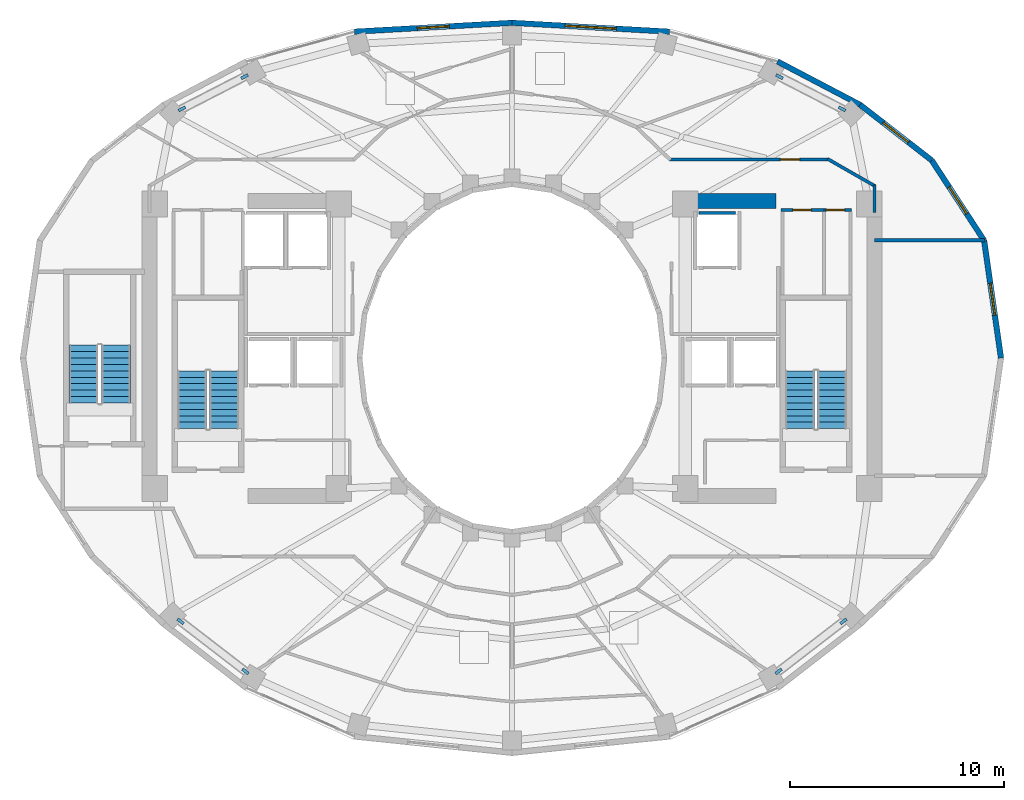
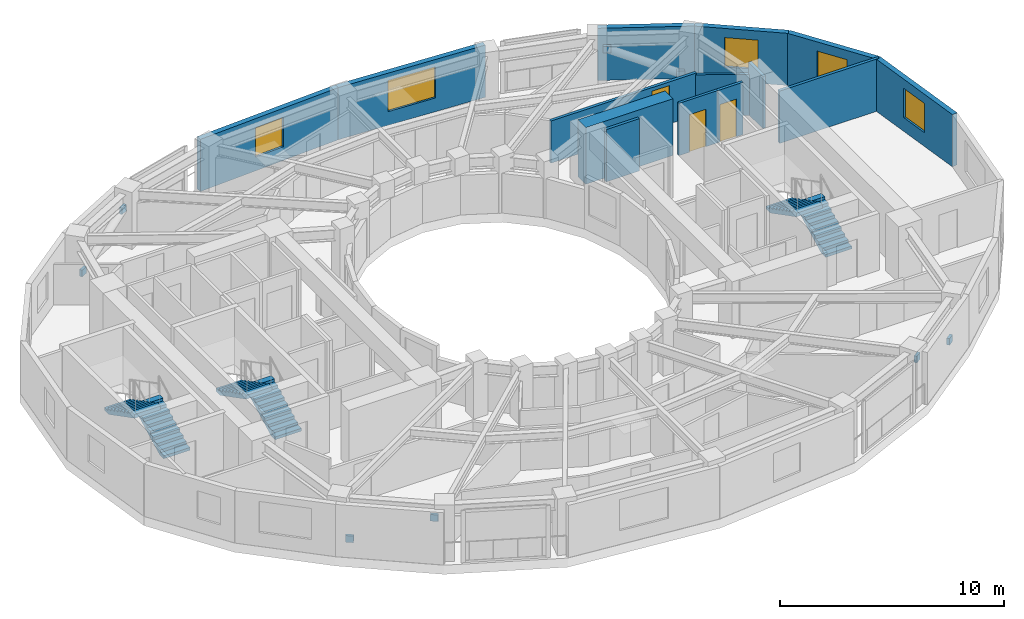
# One storey, part 14 of 17: 14 walls, 8 discrete accessories, 6 stair flights, 5 windows, 3 doors, 8 openings, 3 elements without a shape of their own.
"""IFC4 building model written with IfcOpenShell, lengths in metres."""

from ifc_helpers import new_model, si_unit, direction, frame, frame_2d, origin, origin_2d, place, context, subcontext, project, spatial, polyline, rectangle, outline, extrude, material, layer, layer_set, type_object, element, fill, aggregate, save


model = new_model("IFC4")

# Units and contexts
model_context = context("Model", 3, precision=1e-05, world=origin(), true_north=direction((0.0, 1.0)))
body_context = subcontext(model_context, "Body", "Model", "MODEL_VIEW")
ifc_project = project(units=[si_unit("LENGTHUNIT", "METRE"), si_unit("AREAUNIT", "SQUARE_METRE"), si_unit("VOLUMEUNIT", "CUBIC_METRE"), si_unit("PLANEANGLEUNIT", "RADIAN"), si_unit("MASSUNIT", "GRAM", prefix="KILO")], contexts=[model_context])

# Site, building, storey
site_placement = place(None, origin())
site = spatial("IfcSite", under=ifc_project, at=site_placement, CompositionType="ELEMENT")
building_placement = place(site_placement, origin())
building = spatial("IfcBuilding", under=site, at=building_placement, Name="Solvane Sanctuary Tower", CompositionType="ELEMENT")
storey_placement = place(building_placement, frame((0.0, 0.0, 171.5)))
storey = spatial("IfcBuildingStorey", under=building, at=storey_placement, Name="L52", CompositionType="ELEMENT", Elevation=171.5)

# Walls
ifc_material_1 = material(Name="Concrete C60/75", Category="concrete")
ifc_layer_1 = layer(ifc_material_1, 0.699951171875, Name="Concrete C60/75")
ifc_layer_set_1 = layer_set([ifc_layer_1], Name="Concrete C60/75")
wall_type_1 = type_object("IfcWallType", Name="Wall W-CORE-700", PredefinedType="SHEAR", material=ifc_layer_set_1)
wall_1_placement = place(storey_placement, frame((39.85009765625, 30.35009765625, 0.0), z_axis=(0.0, 0.0, 1.0), x_axis=(1.0, 0.0, 0.0)))
element("IfcWall", 1, at=wall_1_placement, inside=storey, type_object=wall_type_1, Name="L52 Core Shear Wall EC-N", PredefinedType="SHEAR", context=body_context, shape_type="SweptSolid", body=[
    extrude(rectangle(XDim=4.5, YDim=0.699951171875, at=frame_2d((2.25, 0.0))), origin(), (0.0, 0.0, 1.0), 3.10009765625),
])
ifc_material_2 = material(Name="Acoustic Gypsum Partition Board")
ifc_layer_2 = layer(ifc_material_2, 0.14990234375, Name="Acoustic Gypsum Partition Board")
ifc_layer_set_2 = layer_set([ifc_layer_2], Name="Acoustic Gypsum Partition Board")
wall_type_2 = type_object("IfcWallType", Name="Wall W-CORR-150", PredefinedType="PARTITIONING", material=ifc_layer_set_2)
wall_2_placement = place(storey_placement, frame((48.949951171875, 28.5029296875, 0.0), z_axis=(0.0, 0.0, 1.0), x_axis=(1.0, 0.0, 0.0)))
element("IfcWall", 2, at=wall_2_placement, inside=storey, type_object=wall_type_2, Name="L52 East Shoulder North Wall", PredefinedType="PARTITIONING", context=body_context, shape_type="SweptSolid", body=[
    extrude(rectangle(XDim=5.14013671875, YDim=0.14990234375, at=frame_2d((2.570068359375, 0.0))), origin(), (0.0, 0.0, 1.0), 2.85498046875),
])
wall_3_placement = place(storey_placement, frame((48.949951171875, 29.800048828125, 0.0), z_axis=(0.0, 0.0, 1.0), x_axis=(0.0, 1.0, 0.0)))
element("IfcWall", 3, at=wall_3_placement, inside=storey, type_object=wall_type_2, Name="L52 NE Corner Closer 1", PredefinedType="PARTITIONING", context=body_context, shape_type="SweptSolid", body=[
    extrude(rectangle(XDim=1.2900390625, YDim=0.14990234375, at=frame_2d((0.64501953125, 0.0))), origin(), (0.0, 0.0, 1.0), 2.85498046875),
])

# Wall, opening, door
wall_4_placement = place(storey_placement, frame((39.330078125, 32.280029296875, 0.0), z_axis=(0.0, 0.0, 1.0), x_axis=(1.0, 0.0, 0.0)))
wall_4 = element("IfcWall", 4, at=wall_4_placement, inside=storey, type_object=wall_type_2, Name="L52 NE Corner Corridor Wall", PredefinedType="PARTITIONING", context=body_context, shape_type="SweptSolid", body=[
    extrude(rectangle(XDim=7.52001953125, YDim=0.14990234375, at=frame_2d((3.760009765625, 0.0))), origin(), (0.0, 0.0, 1.0), 2.299072265625),
])
opening_1_placement = place(wall_4_placement, frame((5.219970703125, 0.0, 0.0)))
opening_1 = element("IfcOpeningElement", 5, at=opening_1_placement, cuts=wall_4, Name="Opening D-L52-13", PredefinedType="OPENING", context=body_context, shape_type="SweptSolid", body=[
    extrude(rectangle(XDim=0.89990234375, YDim=2.10009765625, at=frame_2d((0.449951171875, 1.050048828125))), frame((0.0, 0.0849609375, 0.0), z_axis=(0.0, -1.0, 0.0), x_axis=(1.0, 0.0, 0.0)), (0.0, 0.0, 1.0), 0.169921875),
])
ifc_material_3 = material(Name="Engineered Tropical Hardwood", Category="wood")
door_type_1 = type_object("IfcDoorType", Name="Door D-WET-900", OperationType="NOTDEFINED", PredefinedType="DOOR", material=ifc_material_3)
door_1_placement = place(opening_1_placement, origin())
door_1 = element("IfcDoor", 6, at=door_1_placement, inside=storey, type_object=door_type_1, Name="L52 NE Corner Salon Door", OperationType="SINGLE_SWING_LEFT", OverallHeight=2.10009765625, OverallWidth=0.89990234375, PredefinedType="DOOR", context=body_context, shape_type="SweptSolid", body=[
    extrude(rectangle(XDim=0.89990234375, YDim=2.10009765625, at=frame_2d((0.449951171875, 1.050048828125))), frame((0.0, 0.02490234375, 0.0), z_axis=(0.0, -1.0, 0.0), x_axis=(1.0, 0.0, 0.0)), (0.0, 0.0, 1.0), 0.050048828125),
])
fill(opening_1, door_1)

# Wall
wall_5_placement = place(storey_placement, frame((46.756591796875, 32.3046875, 0.0), z_axis=(0.0, 0.0, 1.0), x_axis=(0.867991349648, -0.496579315857, 0.0)))
element("IfcWall", 7, at=wall_5_placement, inside=storey, type_object=wall_type_2, Name="L52 NE Corner Wing Wall", PredefinedType="PARTITIONING", context=body_context, shape_type="SweptSolid", body=[
    extrude(rectangle(XDim=2.56689453125, YDim=0.14990234375, at=frame_2d((1.283447265625, 0.0))), origin(), (0.0, 0.0, 1.0), 2.219970703125),
])

# Wall, opening, window
ifc_material_4 = material(Name="Precast concrete C40/50", Category="concrete")
ifc_layer_3 = layer(ifc_material_4, 0.260009765625, Name="Precast concrete C40/50")
ifc_layer_set_3 = layer_set([ifc_layer_3], Name="Precast concrete C40/50")
wall_type_3 = type_object("IfcWallType", Name="Wall W-EXT-250", PredefinedType="STANDARD", material=ifc_layer_set_3)
wall_6_placement = place(storey_placement, frame((54.860107421875, 23.0, 0.0), z_axis=(0.0, 0.0, 1.0), x_axis=(-0.142227632286, 0.989833976288, 0.0)))
wall_6 = element("IfcWall", 8, at=wall_6_placement, inside=storey, type_object=wall_type_3, Name="L52 Ceramic-Printed Facade Wall 00", PredefinedType="STANDARD", context=body_context, shape_type="SweptSolid", body=[
    extrude(rectangle(XDim=5.552978515625, YDim=0.260009765625, at=frame_2d((2.7763671875, 0.0))), origin(), (0.0, 0.0, 1.0), 2.85009765625),
])
opening_2_placement = place(wall_6_placement, frame((2.026611328125, 0.0, 0.75)))
opening_2 = element("IfcOpeningElement", 9, at=opening_2_placement, cuts=wall_6, Name="Opening WN-OPER-1500", PredefinedType="OPENING", context=body_context, shape_type="SweptSolid", body=[
    extrude(rectangle(XDim=1.5, YDim=1.60009765625, at=frame_2d((0.75, 0.800048828125))), frame((0.0, 0.139892578125, 0.0), z_axis=(0.0, -1.0, 0.0), x_axis=(1.0, 0.0, 0.0)), (0.0, 0.0, 1.0), 0.280029296875),
])
ifc_material_5 = material(Name="Dark Ceramic-Fritted Low-E Glass", Category="glass")
window_type_1 = type_object("IfcWindowType", Name="Window WN-OPER-1500", PartitioningType="SINGLE_PANEL", PredefinedType="WINDOW", material=ifc_material_5)
window_1_placement = place(opening_2_placement, origin())
window_1 = element("IfcWindow", 10, at=window_1_placement, inside=storey, type_object=window_type_1, Name="L52 Operable Facade Window 00", OverallHeight=1.60009765625, OverallWidth=1.5, PartitioningType="SINGLE_PANEL", PredefinedType="WINDOW", context=body_context, shape_type="SweptSolid", body=[
    extrude(rectangle(XDim=1.5, YDim=1.60009765625, at=frame_2d((0.75, 0.800048828125))), frame((0.0, 0.030029296875, 0.0), z_axis=(0.0, -1.0, 0.0), x_axis=(1.0, 0.0, 0.0)), (0.0, 0.0, 1.0), 0.06005859375),
])
fill(opening_2, window_1)

wall_7_placement = place(storey_placement, frame((54.0703125, 28.49658203125, 0.0), z_axis=(0.0, 0.0, 1.0), x_axis=(-0.547456494366, 0.836834145322, 0.0)))
wall_7 = element("IfcWall", 11, at=wall_7_placement, inside=storey, type_object=wall_type_3, Name="L52 Ceramic-Printed Facade Wall 01", PredefinedType="STANDARD", context=body_context, shape_type="SweptSolid", body=[
    extrude(rectangle(XDim=4.477294921875, YDim=0.260009765625, at=frame_2d((2.23876953125, 0.0))), origin(), (0.0, 0.0, 1.0), 2.85009765625),
])
opening_3_placement = place(wall_7_placement, frame((1.48876953125, 0.0, 0.75)))
opening_3 = element("IfcOpeningElement", 12, at=opening_3_placement, cuts=wall_7, Name="Opening WN-OPER-1500", PredefinedType="OPENING", context=body_context, shape_type="SweptSolid", body=[
    extrude(rectangle(XDim=1.5, YDim=1.60009765625, at=frame_2d((0.75, 0.800048828125))), frame((0.0, 0.139892578125, 0.0), z_axis=(0.0, -1.0, 0.0), x_axis=(1.0, 0.0, 0.0)), (0.0, 0.0, 1.0), 0.280029296875),
])
window_2_placement = place(opening_3_placement, origin())
window_2 = element("IfcWindow", 13, at=window_2_placement, inside=storey, type_object=window_type_1, Name="L52 Operable Facade Window 01", OverallHeight=1.60009765625, OverallWidth=1.5, PartitioningType="SINGLE_PANEL", PredefinedType="WINDOW", context=body_context, shape_type="SweptSolid", body=[
    extrude(rectangle(XDim=1.5, YDim=1.60009765625, at=frame_2d((0.75, 0.800048828125))), frame((0.0, 0.030029296875, 0.0), z_axis=(0.0, -1.0, 0.0), x_axis=(1.0, 0.0, 0.0)), (0.0, 0.0, 1.0), 0.06005859375),
])
fill(opening_3, window_2)

wall_8_placement = place(storey_placement, frame((51.619140625, 32.243408203125, 0.0), z_axis=(0.0, 0.0, 1.0), x_axis=(-0.790185650662, 0.612867552973, 0.0)))
wall_8 = element("IfcWall", 14, at=wall_8_placement, inside=storey, type_object=wall_type_3, Name="L52 Ceramic-Printed Facade Wall 02", PredefinedType="STANDARD", context=body_context, shape_type="SweptSolid", body=[
    extrude(rectangle(XDim=4.2392578125, YDim=0.260009765625, at=frame_2d((2.11962890625, 0.0))), origin(), (0.0, 0.0, 1.0), 2.85009765625),
])
opening_4_placement = place(wall_8_placement, frame((1.36962890625, 0.0, 0.75)))
opening_4 = element("IfcOpeningElement", 15, at=opening_4_placement, cuts=wall_8, Name="Opening WN-OPER-1500", PredefinedType="OPENING", context=body_context, shape_type="SweptSolid", body=[
    extrude(rectangle(XDim=1.5, YDim=1.60009765625, at=frame_2d((0.75, 0.800048828125))), frame((0.0, 0.139892578125, 0.0), z_axis=(0.0, -1.0, 0.0), x_axis=(1.0, 0.0, 0.0)), (0.0, 0.0, 1.0), 0.280029296875),
])
window_3_placement = place(opening_4_placement, origin())
window_3 = element("IfcWindow", 16, at=window_3_placement, inside=storey, type_object=window_type_1, Name="L52 Operable Facade Window 02", OverallHeight=1.60009765625, OverallWidth=1.5, PartitioningType="SINGLE_PANEL", PredefinedType="WINDOW", context=body_context, shape_type="SweptSolid", body=[
    extrude(rectangle(XDim=1.5, YDim=1.60009765625, at=frame_2d((0.75, 0.800048828125))), frame((0.0, 0.030029296875, 0.0), z_axis=(0.0, -1.0, 0.0), x_axis=(1.0, 0.0, 0.0)), (0.0, 0.0, 1.0), 0.06005859375),
])
fill(opening_4, window_3)

# Wall
wall_9_placement = place(storey_placement, frame((48.269287109375, 34.841552734375, 0.0), z_axis=(0.0, 0.0, 1.0), x_axis=(-0.885660265226, 0.464333818065, 0.0)))
element("IfcWall", 17, at=wall_9_placement, inside=storey, type_object=wall_type_3, Name="L52 Ceramic-Printed Facade Wall 03", PredefinedType="STANDARD", context=body_context, shape_type="SweptSolid", body=[
    extrude(rectangle(XDim=4.35400390625, YDim=0.260009765625, at=frame_2d((2.177001953125, 0.0))), origin(), (0.0, 0.0, 1.0), 2.85009765625),
])

# Wall, opening, window
wall_10_placement = place(storey_placement, frame((39.365234375, 38.256591796875, 0.0), z_axis=(0.0, 0.0, 1.0), x_axis=(-0.998417906562, 0.056228852534, 0.0)))
wall_10 = element("IfcWall", 18, at=wall_10_placement, inside=storey, type_object=wall_type_3, Name="L52 Ceramic-Printed Facade Wall 05", PredefinedType="STANDARD", context=body_context, shape_type="SweptSolid", body=[
    extrude(rectangle(XDim=7.376953125, YDim=0.260009765625, at=frame_2d((3.6884765625, 0.0))), origin(), (0.0, 0.0, 1.0), 2.85009765625),
])
opening_5_placement = place(wall_10_placement, frame((2.48828125, 0.0, 0.75)))
opening_5 = element("IfcOpeningElement", 19, at=opening_5_placement, cuts=wall_10, Name="Opening WN-RIB-2400", PredefinedType="OPENING", context=body_context, shape_type="SweptSolid", body=[
    extrude(rectangle(XDim=2.39990234375, YDim=1.699951171875, at=frame_2d((1.199951171875, 0.85009765625))), frame((0.0, 0.139892578125, 0.0), z_axis=(0.0, -1.0, 0.0), x_axis=(1.0, 0.0, 0.0)), (0.0, 0.0, 1.0), 0.280029296875),
])
window_type_2 = type_object("IfcWindowType", Name="Window WN-RIB-2400", PartitioningType="SINGLE_PANEL", PredefinedType="WINDOW", material=ifc_material_5)
window_4_placement = place(opening_5_placement, origin())
window_4 = element("IfcWindow", 20, at=window_4_placement, inside=storey, type_object=window_type_2, Name="L52 Operable Facade Window 05", OverallHeight=1.699951171875, OverallWidth=2.39990234375, PartitioningType="SINGLE_PANEL", PredefinedType="WINDOW", context=body_context, shape_type="SweptSolid", body=[
    extrude(rectangle(XDim=2.39990234375, YDim=1.699951171875, at=frame_2d((1.199951171875, 0.85009765625))), frame((0.0, 0.030029296875, 0.0), z_axis=(0.0, -1.0, 0.0), x_axis=(1.0, 0.0, 0.0)), (0.0, 0.0, 1.0), 0.06005859375),
])
fill(opening_5, window_4)

wall_11_placement = place(storey_placement, frame((32.0, 38.67138671875, 0.0), z_axis=(0.0, 0.0, 1.0), x_axis=(-0.998417906562, -0.056228852534, 0.0)))
wall_11 = element("IfcWall", 21, at=wall_11_placement, inside=storey, type_object=wall_type_3, Name="L52 Ceramic-Printed Facade Wall 06", PredefinedType="STANDARD", context=body_context, shape_type="SweptSolid", body=[
    extrude(rectangle(XDim=7.376953125, YDim=0.260009765625, at=frame_2d((3.6884765625, 0.0))), origin(), (0.0, 0.0, 1.0), 2.85009765625),
])
opening_6_placement = place(wall_11_placement, frame((2.9384765625, 0.0, 0.75)))
opening_6 = element("IfcOpeningElement", 22, at=opening_6_placement, cuts=wall_11, Name="Opening WN-OPER-1500", PredefinedType="OPENING", context=body_context, shape_type="SweptSolid", body=[
    extrude(rectangle(XDim=1.5, YDim=1.60009765625, at=frame_2d((0.75, 0.800048828125))), frame((0.0, 0.139892578125, 0.0), z_axis=(0.0, -1.0, 0.0), x_axis=(1.0, 0.0, 0.0)), (0.0, 0.0, 1.0), 0.280029296875),
])
window_5_placement = place(opening_6_placement, origin())
window_5 = element("IfcWindow", 23, at=window_5_placement, inside=storey, type_object=window_type_1, Name="L52 Operable Facade Window 06", OverallHeight=1.60009765625, OverallWidth=1.5, PartitioningType="SINGLE_PANEL", PredefinedType="WINDOW", context=body_context, shape_type="SweptSolid", body=[
    extrude(rectangle(XDim=1.5, YDim=1.60009765625, at=frame_2d((0.75, 0.800048828125))), frame((0.0, 0.030029296875, 0.0), z_axis=(0.0, -1.0, 0.0), x_axis=(1.0, 0.0, 0.0)), (0.0, 0.0, 1.0), 0.06005859375),
])
fill(opening_6, window_5)

# Wall
ifc_material_6 = material(Name="Concrete C50/60", Category="concrete")
ifc_layer_4 = layer(ifc_material_6, 0.14990234375, Name="Concrete C50/60")
ifc_layer_set_4 = layer_set([ifc_layer_4], Name="Concrete C50/60")
wall_type_4 = type_object("IfcWallType", Name="Wall W-SHAFT-150", PredefinedType="SOLIDWALL", material=ifc_layer_set_4)
wall_12_placement = place(storey_placement, frame((40.739990234375, 29.780029296875, 0.0), z_axis=(0.0, 0.0, 1.0), x_axis=(1.0, 0.0, 0.0)))
element("IfcWall", 24, at=wall_12_placement, inside=storey, type_object=wall_type_4, Name="L52 FFL-2 Lift Shaft Wall B", PredefinedType="SOLIDWALL", context=body_context, shape_type="SweptSolid", body=[
    extrude(rectangle(XDim=1.719970703125, YDim=0.14990234375, at=frame_2d((0.85986328125, 0.0))), origin(), (0.0, 0.0, 1.0), 2.85498046875),
])

# Wall, opening, door
ifc_layer_5 = layer(ifc_material_2, 0.139892578125, Name="Acoustic Gypsum Partition Board")
ifc_layer_set_5 = layer_set([ifc_layer_5], Name="Acoustic Gypsum Partition Board")
wall_type_5 = type_object("IfcWallType", Name="Wall W-WET-140", PredefinedType="PLUMBINGWALL", material=ifc_layer_set_5)
wall_13_placement = place(storey_placement, frame((44.580078125, 29.919921875, 0.0), z_axis=(0.0, 0.0, 1.0), x_axis=(1.0, 0.0, 0.0)))
wall_13 = element("IfcWall", 25, at=wall_13_placement, inside=storey, type_object=wall_type_5, Name="L52 Core Service Front Wall KE1", PredefinedType="PLUMBINGWALL", context=body_context, shape_type="SweptSolid", body=[
    extrude(rectangle(XDim=2.0, YDim=0.139892578125, at=frame_2d((1.0, 0.0))), origin(), (0.0, 0.0, 1.0), 2.85498046875),
])
opening_7_placement = place(wall_13_placement, frame((0.550048828125, 0.0, 0.0)))
opening_7 = element("IfcOpeningElement", 26, at=opening_7_placement, cuts=wall_13, Name="Opening D-L52-10", PredefinedType="OPENING", context=body_context, shape_type="SweptSolid", body=[
    extrude(rectangle(XDim=0.85009765625, YDim=2.050048828125, at=frame_2d((0.425048828125, 1.02490234375))), frame((0.0, 0.079833984375, 0.0), z_axis=(0.0, -1.0, 0.0), x_axis=(1.0, 0.0, 0.0)), (0.0, 0.0, 1.0), 0.159912109375),
])
ifc_material_7 = material(Name="Architectural Stainless Steel 316", Category="steel")
door_type_2 = type_object("IfcDoorType", Name="Door D-RISER", OperationType="NOTDEFINED", PredefinedType="DOOR", material=ifc_material_7)
door_2_placement = place(opening_7_placement, origin())
door_2 = element("IfcDoor", 27, at=door_2_placement, inside=storey, type_object=door_type_2, Name="L52 Core Service Room Door KE1-1", OperationType="SINGLE_SWING_RIGHT", OverallHeight=2.050048828125, OverallWidth=0.85009765625, PredefinedType="DOOR", context=body_context, shape_type="SweptSolid", body=[
    extrude(rectangle(XDim=0.85009765625, YDim=2.050048828125, at=frame_2d((0.425048828125, 1.02490234375))), frame((0.0, 0.02490234375, 0.0), z_axis=(0.0, -1.0, 0.0), x_axis=(1.0, 0.0, 0.0)), (0.0, 0.0, 1.0), 0.050048828125),
])
fill(opening_7, door_2)

wall_14_placement = place(storey_placement, frame((46.580078125, 29.919921875, 0.0), z_axis=(0.0, 0.0, 1.0), x_axis=(1.0, 0.0, 0.0)))
wall_14 = element("IfcWall", 28, at=wall_14_placement, inside=storey, type_object=wall_type_5, Name="L52 Core Service Front Wall KE2", PredefinedType="PLUMBINGWALL", context=body_context, shape_type="SweptSolid", body=[
    extrude(rectangle(XDim=1.2998046875, YDim=0.139892578125, at=frame_2d((0.64990234375, 0.0))), origin(), (0.0, 0.0, 1.0), 2.85498046875),
])
opening_8_placement = place(wall_14_placement, frame((0.1201171875, 0.0, 0.0)))
opening_8 = element("IfcOpeningElement", 29, at=opening_8_placement, cuts=wall_14, Name="Opening D-L52-11", PredefinedType="OPENING", context=body_context, shape_type="SweptSolid", body=[
    extrude(rectangle(XDim=0.85009765625, YDim=2.050048828125, at=frame_2d((0.425048828125, 1.02490234375))), frame((0.0, 0.079833984375, 0.0), z_axis=(0.0, -1.0, 0.0), x_axis=(1.0, 0.0, 0.0)), (0.0, 0.0, 1.0), 0.159912109375),
])
door_3_placement = place(opening_8_placement, origin())
door_3 = element("IfcDoor", 30, at=door_3_placement, inside=storey, type_object=door_type_2, Name="L52 Core Service Room Door KE2-1", OperationType="SINGLE_SWING_LEFT", OverallHeight=2.050048828125, OverallWidth=0.85009765625, PredefinedType="DOOR", context=body_context, shape_type="SweptSolid", body=[
    extrude(rectangle(XDim=0.85009765625, YDim=2.050048828125, at=frame_2d((0.425048828125, 1.02490234375))), frame((0.0, 0.02490234375, 0.0), z_axis=(0.0, -1.0, 0.0), x_axis=(1.0, 0.0, 0.0)), (0.0, 0.0, 1.0), 0.050048828125),
])
fill(opening_8, door_3)

# Stair, stair flights
ifc_material_8 = material(Name="Concrete C45/55", Category="concrete")
stair_type = type_object("IfcStairType", Name="Stair ST-TOW", PredefinedType="HALF_TURN_STAIR", material=ifc_material_8)
stair_1_placement = place(storey_placement, origin())
stair_1 = element("IfcStair", 31, at=stair_1_placement, inside=storey, type_object=stair_type, Name="L52 Exit Stair ST-1 West Core", PredefinedType="HALF_TURN_STAIR")
stair_flight_type = type_object("IfcStairFlightType", Name="StairFlight SF-TOW", PredefinedType="STRAIGHT", material=ifc_material_8)
stair_flight_1_placement = place(storey_placement, frame((18.544921875, 19.699951171875, 0.0), z_axis=(0.0, 0.0, 1.0), x_axis=(0.0, 1.0, 0.0)))
stair_flight_1 = element("IfcStairFlight", 32, at=stair_flight_1_placement, type_object=stair_flight_type, Name="ST-1 flight 1", NumberOfRisers=10, NumberOfTreads=9, PredefinedType="STRAIGHT", RiserHeight=0.155, TreadLength=0.3, context=body_context, shape_type="SweptSolid", body=[
    extrude(outline(polyline([(0.0, 0.0), (0.0, 0.155029296875), (0.300048828125, 0.155029296875), (0.300048828125, 0.31005859375), (0.60009765625, 0.31005859375), (0.60009765625, 0.465087890625), (0.89990234375, 0.465087890625), (0.89990234375, 0.6201171875), (1.199951171875, 0.6201171875), (1.199951171875, 0.77490234375), (1.5, 0.77490234375), (1.5, 0.929931640625), (1.800048828125, 0.929931640625), (1.800048828125, 1.0849609375), (2.10009765625, 1.0849609375), (2.10009765625, 1.239990234375), (2.39990234375, 1.239990234375), (2.39990234375, 1.39501953125), (2.699951171875, 1.39501953125), (2.699951171875, 1.550048828125), (2.699951171875, 1.1923828125), (0.39208984375, 0.0), (0.0, 0.0)])), frame((0.0, 0.675048828125, 0.0), z_axis=(0.0, -1.0, 0.0), x_axis=(1.0, 0.0, 0.0)), (0.0, 0.0, 1.0), 1.35009765625),
])
stair_flight_2_placement = place(storey_placement, frame((17.034912109375, 22.39990234375, 1.550048828125), z_axis=(0.0, 0.0, 1.0), x_axis=(0.0, -1.0, 0.0)))
stair_flight_2 = element("IfcStairFlight", 33, at=stair_flight_2_placement, type_object=stair_flight_type, Name="ST-1 flight 2", NumberOfRisers=10, NumberOfTreads=9, PredefinedType="STRAIGHT", RiserHeight=0.155, TreadLength=0.3, context=body_context, shape_type="SweptSolid", body=[
    extrude(outline(polyline([(0.0, 0.0), (0.0, 0.155029296875), (0.300048828125, 0.155029296875), (0.300048828125, 0.31005859375), (0.60009765625, 0.31005859375), (0.60009765625, 0.465087890625), (0.89990234375, 0.465087890625), (0.89990234375, 0.6201171875), (1.199951171875, 0.6201171875), (1.199951171875, 0.77490234375), (1.5, 0.77490234375), (1.5, 0.929931640625), (1.800048828125, 0.929931640625), (1.800048828125, 1.0849609375), (2.10009765625, 1.0849609375), (2.10009765625, 1.239990234375), (2.39990234375, 1.239990234375), (2.39990234375, 1.39501953125), (2.699951171875, 1.39501953125), (2.699951171875, 1.550048828125), (2.699951171875, 1.1923828125), (0.39208984375, 0.0), (0.0, 0.0)])), frame((0.0, 0.675048828125, 0.0), z_axis=(0.0, -1.0, 0.0), x_axis=(1.0, 0.0, 0.0)), (0.0, 0.0, 1.0), 1.35009765625),
])
aggregate(stair_1, [stair_flight_1, stair_flight_2])

stair_2_placement = place(storey_placement, origin())
stair_2 = element("IfcStair", 34, at=stair_2_placement, inside=storey, type_object=stair_type, Name="L52 Exit Stair ST-2 East Core", PredefinedType="HALF_TURN_STAIR")
stair_flight_3_placement = place(storey_placement, frame((46.965087890625, 19.699951171875, 0.0), z_axis=(0.0, 0.0, 1.0), x_axis=(0.0, 1.0, 0.0)))
stair_flight_3 = element("IfcStairFlight", 35, at=stair_flight_3_placement, type_object=stair_flight_type, Name="ST-2 flight 1", NumberOfRisers=10, NumberOfTreads=9, PredefinedType="STRAIGHT", RiserHeight=0.155, TreadLength=0.3, context=body_context, shape_type="SweptSolid", body=[
    extrude(outline(polyline([(0.0, 0.0), (0.0, 0.155029296875), (0.300048828125, 0.155029296875), (0.300048828125, 0.31005859375), (0.60009765625, 0.31005859375), (0.60009765625, 0.465087890625), (0.89990234375, 0.465087890625), (0.89990234375, 0.6201171875), (1.199951171875, 0.6201171875), (1.199951171875, 0.77490234375), (1.5, 0.77490234375), (1.5, 0.929931640625), (1.800048828125, 0.929931640625), (1.800048828125, 1.0849609375), (2.10009765625, 1.0849609375), (2.10009765625, 1.239990234375), (2.39990234375, 1.239990234375), (2.39990234375, 1.39501953125), (2.699951171875, 1.39501953125), (2.699951171875, 1.550048828125), (2.699951171875, 1.1923828125), (0.39208984375, 0.0), (0.0, 0.0)])), frame((0.0, 0.675048828125, 0.0), z_axis=(0.0, -1.0, 0.0), x_axis=(1.0, 0.0, 0.0)), (0.0, 0.0, 1.0), 1.35009765625),
])
stair_flight_4_placement = place(storey_placement, frame((45.455078125, 22.39990234375, 1.550048828125), z_axis=(0.0, 0.0, 1.0), x_axis=(0.0, -1.0, 0.0)))
stair_flight_4 = element("IfcStairFlight", 36, at=stair_flight_4_placement, type_object=stair_flight_type, Name="ST-2 flight 2", NumberOfRisers=10, NumberOfTreads=9, PredefinedType="STRAIGHT", RiserHeight=0.155, TreadLength=0.3, context=body_context, shape_type="SweptSolid", body=[
    extrude(outline(polyline([(0.0, 0.0), (0.0, 0.155029296875), (0.300048828125, 0.155029296875), (0.300048828125, 0.31005859375), (0.60009765625, 0.31005859375), (0.60009765625, 0.465087890625), (0.89990234375, 0.465087890625), (0.89990234375, 0.6201171875), (1.199951171875, 0.6201171875), (1.199951171875, 0.77490234375), (1.5, 0.77490234375), (1.5, 0.929931640625), (1.800048828125, 0.929931640625), (1.800048828125, 1.0849609375), (2.10009765625, 1.0849609375), (2.10009765625, 1.239990234375), (2.39990234375, 1.239990234375), (2.39990234375, 1.39501953125), (2.699951171875, 1.39501953125), (2.699951171875, 1.550048828125), (2.699951171875, 1.1923828125), (0.39208984375, 0.0), (0.0, 0.0)])), frame((0.0, 0.675048828125, 0.0), z_axis=(0.0, -1.0, 0.0), x_axis=(1.0, 0.0, 0.0)), (0.0, 0.0, 1.0), 1.35009765625),
])
aggregate(stair_2, [stair_flight_3, stair_flight_4])

stair_3_placement = place(storey_placement, origin())
stair_3 = element("IfcStair", 37, at=stair_3_placement, inside=storey, type_object=stair_type, Name="L52 Exit Stair ST-3 Pilgrim Tower Stair", PredefinedType="HALF_TURN_STAIR")
stair_flight_5_placement = place(storey_placement, frame((13.485107421875, 20.89990234375, 0.0), z_axis=(0.0, 0.0, 1.0), x_axis=(0.0, 1.0, 0.0)))
stair_flight_5 = element("IfcStairFlight", 38, at=stair_flight_5_placement, type_object=stair_flight_type, Name="ST-3 flight 1", NumberOfRisers=10, NumberOfTreads=9, PredefinedType="STRAIGHT", RiserHeight=0.155, TreadLength=0.3, context=body_context, shape_type="SweptSolid", body=[
    extrude(outline(polyline([(0.0, 0.0), (0.0, 0.155029296875), (0.300048828125, 0.155029296875), (0.300048828125, 0.31005859375), (0.60009765625, 0.31005859375), (0.60009765625, 0.465087890625), (0.89990234375, 0.465087890625), (0.89990234375, 0.6201171875), (1.199951171875, 0.6201171875), (1.199951171875, 0.77490234375), (1.5, 0.77490234375), (1.5, 0.929931640625), (1.800048828125, 0.929931640625), (1.800048828125, 1.0849609375), (2.10009765625, 1.0849609375), (2.10009765625, 1.239990234375), (2.39990234375, 1.239990234375), (2.39990234375, 1.39501953125), (2.699951171875, 1.39501953125), (2.699951171875, 1.550048828125), (2.699951171875, 1.1923828125), (0.39208984375, 0.0), (0.0, 0.0)])), frame((0.0, 0.675048828125, 0.0), z_axis=(0.0, -1.0, 0.0), x_axis=(1.0, 0.0, 0.0)), (0.0, 0.0, 1.0), 1.35009765625),
])
stair_flight_6_placement = place(storey_placement, frame((11.97509765625, 23.60009765625, 1.550048828125), z_axis=(0.0, 0.0, 1.0), x_axis=(0.0, -1.0, 0.0)))
stair_flight_6 = element("IfcStairFlight", 39, at=stair_flight_6_placement, type_object=stair_flight_type, Name="ST-3 flight 2", NumberOfRisers=10, NumberOfTreads=9, PredefinedType="STRAIGHT", RiserHeight=0.155, TreadLength=0.3, context=body_context, shape_type="SweptSolid", body=[
    extrude(outline(polyline([(0.0, 0.0), (0.0, 0.155029296875), (0.300048828125, 0.155029296875), (0.300048828125, 0.31005859375), (0.60009765625, 0.31005859375), (0.60009765625, 0.465087890625), (0.89990234375, 0.465087890625), (0.89990234375, 0.6201171875), (1.199951171875, 0.6201171875), (1.199951171875, 0.77490234375), (1.5, 0.77490234375), (1.5, 0.929931640625), (1.800048828125, 0.929931640625), (1.800048828125, 1.0849609375), (2.10009765625, 1.0849609375), (2.10009765625, 1.239990234375), (2.39990234375, 1.239990234375), (2.39990234375, 1.39501953125), (2.699951171875, 1.39501953125), (2.699951171875, 1.550048828125), (2.699951171875, 1.1923828125), (0.39208984375, 0.0), (0.0, 0.0)])), frame((0.0, 0.675048828125, 0.0), z_axis=(0.0, -1.0, 0.0), x_axis=(1.0, 0.0, 0.0)), (0.0, 0.0, 1.0), 1.35009765625),
])
aggregate(stair_3, [stair_flight_5, stair_flight_6])

# Discrete accessories
ifc_material_9 = material(Name="Steel ASTM A572 Grade 50", Category="steel")
ifc_layer_6 = layer(ifc_material_9, 0.360107421875, Name="Steel ASTM A572 Grade 50")
ifc_layer_set_6 = layer_set([ifc_layer_6], Name="Steel ASTM A572 Grade 50")
discrete_accessory_type = type_object("IfcDiscreteAccessoryType", Name="Accessory ACC-GUSSET-BRK", PredefinedType="BRACKET", material=ifc_layer_set_6)
for number, where, z_axis, x_axis, name in (
    (40, (47.432373046875, 34.64453125, 0.4111328125), (0.0, 0.0, 1.0), (-0.889256761832, 0.457408364087, 0.0), "L52 Perimeter Braced-Tube Diagonal NE End Gusset Bracket A"),
    (41, (44.502685546875, 36.151123046875, 1.86865234375), (0.0, 0.0, 1.0), (-0.889256761832, 0.457408364087, 0.0), "L52 Perimeter Braced-Tube Diagonal NE End Gusset Bracket B"),
    (42, (16.567626953125, 34.64453125, 0.4111328125), (0.0, 0.0, 1.0), (0.889256761832, 0.457408364087, 0.0), "L52 Perimeter Braced-Tube Diagonal NW End Gusset Bracket A"),
    (43, (19.497314453125, 36.151123046875, 1.86865234375), (0.0, 0.0, 1.0), (0.889256761832, 0.457408364087, 0.0), "L52 Perimeter Braced-Tube Diagonal NW End Gusset Bracket B"),
    (44, (16.506591796875, 10.68896484375, 0.380859375), (0.0, 0.0, 1.0), (0.79207661425, -0.610421687982, 0.0), "L52 Perimeter Braced-Tube Diagonal SW End Gusset Bracket A"),
    (45, (19.53857421875, 8.35205078125, 1.88916015625), (0.0, 0.0, 1.0), (0.79207661425, -0.610421687982, 0.0), "L52 Perimeter Braced-Tube Diagonal SW End Gusset Bracket B"),
    (46, (47.493408203125, 10.68896484375, 0.380859375), (0.0, 0.0, 1.0), (-0.79207661425, -0.610421687982, 0.0), "L52 Perimeter Braced-Tube Diagonal SE End Gusset Bracket A"),
    (47, (44.46142578125, 8.35205078125, 1.88916015625), (0.0, 0.0, 1.0), (-0.79207661425, -0.610421687982, 0.0), "L52 Perimeter Braced-Tube Diagonal SE End Gusset Bracket B"),
):
    element("IfcDiscreteAccessory", number, at=place(storey_placement, frame(where, z_axis=z_axis, x_axis=x_axis)), inside=storey, type_object=discrete_accessory_type, Name=name, PredefinedType="BRACKET", context=body_context, shape_type="SweptSolid", body=[
        extrude(rectangle(XDim=0.360107421875, YDim=0.139892578125, at=origin_2d()), origin(), (0.0, 0.0, 1.0), 0.360107421875),
    ])

save(model, "model.ifc")
